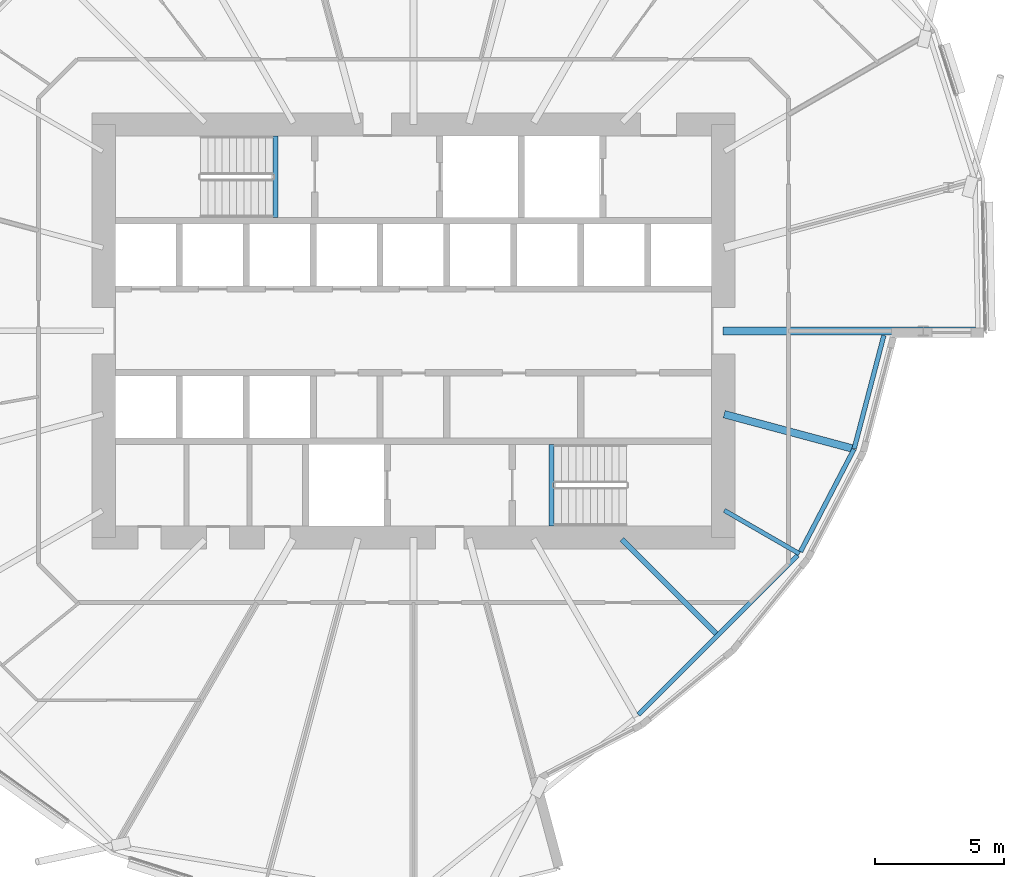
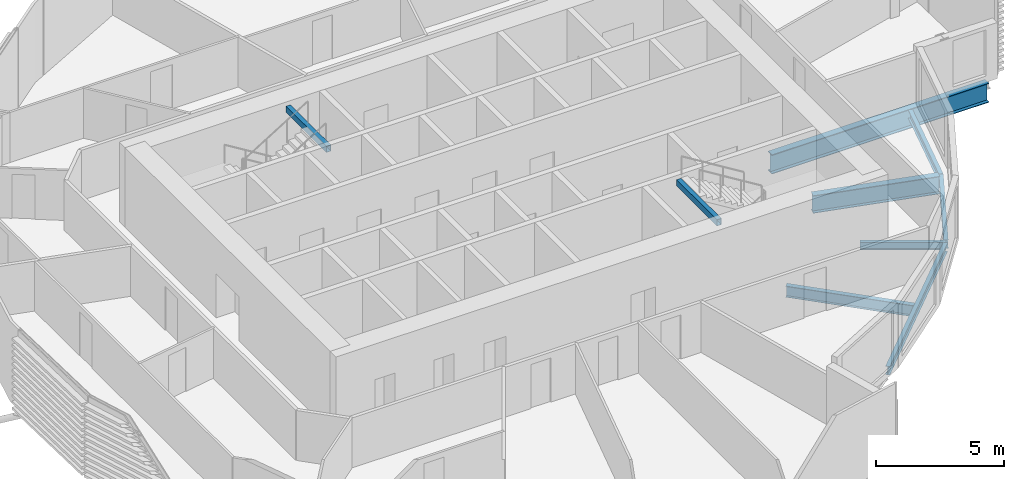
# One storey, part 14 of 38: 9 beams.
"""IFC4 building model written with IfcOpenShell, lengths in metres."""

import ifcopenshell
import ifcopenshell.guid

model = None  # the IFC model being written
_history = None  # IfcOwnerHistory: only IFC2X3 demands one
_inside = {}  # id of a spatial element -> (the spatial element, [elements in it])
_under = {}  # id of a project, library or spatial element -> (it, [spatial elements below it])
_declared = {}  # id of a project -> (the project, [libraries it declares])
_typed = {}  # id of a type object -> (the type object, [elements of that type])
_made_of = {}  # id of a material, layer set ... -> (it, [elements and type objects made of it])


def new_model(schema):
    """Start an empty IFC model of exactly this schema.

    Asked for "IFC4X3", IfcOpenShell would pick the latest addendum, in which some entities
    have other attributes; the version numbers below select the first issue.
    IFC2X3 requires an IfcOwnerHistory on every rooted entity: one is made here for all.
    """
    global model, _history
    if schema == "IFC4X3":
        model = ifcopenshell.file(schema_version=(4, 3, 0, 0))
    else:
        model = ifcopenshell.file(schema=schema)
    _inside.clear()
    _under.clear()
    _declared.clear()
    _typed.clear()
    _made_of.clear()
    _history = None
    if model.schema == "IFC2X3":
        org = make("IfcOrganization", Name="unknown")
        user = make(
            "IfcPersonAndOrganization",
            ThePerson=make("IfcPerson", FamilyName="unknown"),
            TheOrganization=org,
        )
        app = make(
            "IfcApplication",
            ApplicationDeveloper=org,
            Version="unknown",
            ApplicationFullName="unknown",
            ApplicationIdentifier="unknown",
        )
        _history = make(
            "IfcOwnerHistory",
            OwningUser=user,
            OwningApplication=app,
            ChangeAction="ADDED",
            CreationDate=0,
        )
    return model


def make(cls, **values):
    """One entity of the class cls with the attributes given. An attribute that is None is left unset."""
    return model.create_entity(
        cls, **{name: value for name, value in values.items() if value is not None}
    )


def rooted(cls, **values):
    """An entity with a GlobalId (a new one), such as an element, a storey or a relation."""
    return make(cls, GlobalId=ifcopenshell.guid.new(), OwnerHistory=_history, **values)


def si_unit(unit_type, name, prefix=None):
    """IfcSIUnit, for example si_unit("LENGTHUNIT", "METRE", prefix="MILLI")."""
    return make("IfcSIUnit", UnitType=unit_type, Prefix=prefix, Name=name)


def assignment(units):
    """IfcUnitAssignment: the units of a project."""
    return None if units is None else make("IfcUnitAssignment", Units=units)


def point(xyz):
    """IfcCartesianPoint."""
    return None if xyz is None else make("IfcCartesianPoint", Coordinates=xyz)


def direction(xyz):
    """IfcDirection."""
    return None if xyz is None else make("IfcDirection", DirectionRatios=xyz)


def frame(location, z_axis=None, x_axis=None):
    """IfcAxis2Placement3D, a coordinate frame: its origin and axes. An axis left out is left unset."""
    return make(
        "IfcAxis2Placement3D",
        Location=point(location),
        Axis=direction(z_axis),
        RefDirection=direction(x_axis),
    )


def frame_2d(location, x_axis=None):
    """IfcAxis2Placement2D, a coordinate frame in the plane: its origin and x axis."""
    return make(
        "IfcAxis2Placement2D", Location=point(location), RefDirection=direction(x_axis)
    )


def origin():
    """The frame at (0, 0, 0) with its axes left unset."""
    return frame((0.0, 0.0, 0.0))


def origin_2d():
    """The frame at (0, 0) in the plane with its x axis left unset."""
    return frame_2d((0.0, 0.0))


def place(relative_to, where):
    """IfcLocalPlacement: puts the frame where relative to a parent placement (None: the world)."""
    return make(
        "IfcLocalPlacement", PlacementRelTo=relative_to, RelativePlacement=where
    )


def context(
    kind, dimensions, precision=None, world=None, true_north=None, identifier=None
):
    """IfcGeometricRepresentationContext, for example the 3D "Model" context."""
    return make(
        "IfcGeometricRepresentationContext",
        ContextIdentifier=identifier,
        ContextType=kind,
        CoordinateSpaceDimension=dimensions,
        Precision=precision,
        WorldCoordinateSystem=world,
        TrueNorth=true_north,
    )


def subcontext(parent, identifier, kind, view, scale=None):
    """IfcGeometricRepresentationSubContext, for example "Body" below "Model"."""
    return make(
        "IfcGeometricRepresentationSubContext",
        ContextIdentifier=identifier,
        ContextType=kind,
        ParentContext=parent,
        TargetScale=scale,
        TargetView=view,
    )


def project(units=None, contexts=None):
    """IfcProject with its units and contexts."""
    return rooted(
        "IfcProject",
        Name="project",
        RepresentationContexts=contexts,
        UnitsInContext=assignment(units),
    )


def spatial(cls, under=None, at=None, **own):
    """A site, building, storey or space (cls), placed at a placement, below another one or the project."""
    s = rooted(cls, ObjectPlacement=at, **own)
    if under is not None:
        _under.setdefault(under.id(), (under, []))[1].append(s)
    return s


def profile(cls, at=None, kind="AREA", **sizes):
    """A parametric profile (cls). Its sizes go by their IFC names, for example OverallWidth=200.0."""
    return make(cls, ProfileType=kind, Position=at, **sizes)


def hollow_rectangle(**sizes):
    """IfcRectangleHollowProfileDef."""
    return profile("IfcRectangleHollowProfileDef", **sizes)


def i_section(**sizes):
    """IfcIShapeProfileDef."""
    return profile("IfcIShapeProfileDef", **sizes)


def extrude(swept, where, along, depth):
    """IfcExtrudedAreaSolid: the profile swept, set in the frame where, extruded along a direction by depth."""
    return make(
        "IfcExtrudedAreaSolid",
        SweptArea=swept,
        Position=where,
        ExtrudedDirection=direction(along),
        Depth=depth,
    )


def shape(context_of_items, identifier, shape_type, items):
    """IfcShapeRepresentation: the items that make up one representation, for example the "Body"."""
    return make(
        "IfcShapeRepresentation",
        ContextOfItems=context_of_items,
        RepresentationIdentifier=identifier,
        RepresentationType=shape_type,
        Items=items,
    )


def material(Name=None, Category=None):
    """IfcMaterial."""
    return make("IfcMaterial", Name=Name, Category=Category)


def material_profile(
    of_material, cross_section, Name=None, Category=None, Priority=None
):
    """IfcMaterialProfile: a cross section and its material."""
    return make(
        "IfcMaterialProfile",
        Name=Name,
        Material=of_material,
        Profile=cross_section,
        Priority=Priority,
        Category=Category,
    )


def profile_set(profiles, Name=None, composite=None):
    """IfcMaterialProfileSet."""
    return make(
        "IfcMaterialProfileSet",
        Name=Name,
        MaterialProfiles=profiles,
        CompositeProfile=composite,
    )


def made_of(thing, what):
    """Note that an element or type object is made of a material, layer set ...; save() writes the relation."""
    if what is not None:
        _made_of.setdefault(what.id(), (what, []))[1].append(thing)
    return thing


def type_object(cls, material=None, **own):
    """A type object (cls), such as IfcWallType, which elements share."""
    return made_of(rooted(cls, **own), material)


def element(
    cls,
    number,
    at=None,
    inside=None,
    cuts=None,
    type_object=None,
    material=None,
    context=None,
    identifier="Body",
    shape_type=None,
    held_by="IfcProductDefinitionShape",
    body=None,
    shapes=None,
    **own,
):
    """One element of the class cls, such as IfcWall. Its Tag is "e" and its number.

    at: its placement. inside: the storey or other place that contains it. cuts: it is an
    opening in that element (IfcRelVoidsElement). A single representation is given by context,
    identifier, shape_type and body (its items); several are given by shapes. held_by: the class
    of the entity that holds the representations. save() writes the other relations.
    """
    e = rooted(cls, Tag="e%d" % number, ObjectPlacement=at, **own)
    if body is not None:
        shapes = [shape(context, identifier, shape_type, body)]
    if shapes is not None:
        e.Representation = make(held_by, Representations=shapes)
    if inside is not None:
        _inside.setdefault(inside.id(), (inside, []))[1].append(e)
    if cuts is not None:
        rooted(
            "IfcRelVoidsElement", RelatingBuildingElement=cuts, RelatedOpeningElement=e
        )
    if type_object is not None:
        _typed.setdefault(type_object.id(), (type_object, []))[1].append(e)
    return made_of(e, material)


def aggregate(whole, parts):
    """IfcRelAggregates: a whole, such as a stair, and the parts it consists of."""
    return rooted("IfcRelAggregates", RelatingObject=whole, RelatedObjects=parts)


def save(model, path):
    """Write the relations noted so far, then the file.

    IfcRelAggregates (storeys below a building ...), IfcRelContainedInSpatialStructure (elements
    in a storey), IfcRelDefinesByType, IfcRelAssociatesMaterial and IfcRelDeclares: one each for
    every whole, place, type object, material and project.
    """
    for whole, parts in _under.values():
        aggregate(whole, parts)
    for where, things in _inside.values():
        rooted(
            "IfcRelContainedInSpatialStructure",
            RelatedElements=things,
            RelatingStructure=where,
        )
    for kind, things in _typed.values():
        rooted("IfcRelDefinesByType", RelatedObjects=things, RelatingType=kind)
    for what, things in _made_of.values():
        rooted("IfcRelAssociatesMaterial", RelatedObjects=things, RelatingMaterial=what)
    for by, libraries in _declared.values():
        rooted("IfcRelDeclares", RelatingContext=by, RelatedDefinitions=libraries)
    model.write(path)


model = new_model("IFC4")

# Units and contexts
model_context = context("Model", 3, precision=1e-05, world=origin(), true_north=direction((0.0, 1.0)))
body_context = subcontext(model_context, "Body", "Model", "MODEL_VIEW")
ifc_project = project(units=[si_unit("LENGTHUNIT", "METRE"), si_unit("AREAUNIT", "SQUARE_METRE"), si_unit("VOLUMEUNIT", "CUBIC_METRE"), si_unit("PLANEANGLEUNIT", "RADIAN"), si_unit("MASSUNIT", "GRAM", prefix="KILO")], contexts=[model_context])

# Site, building, storey
site_placement = place(None, origin())
site = spatial("IfcSite", under=ifc_project, at=site_placement, CompositionType="ELEMENT")
building_placement = place(site_placement, origin())
building = spatial("IfcBuilding", under=site, at=building_placement, Name="Rimbun Link Towers", CompositionType="ELEMENT")
storey_placement = place(building_placement, frame((0.0, 0.0, 71.800048828125)))
storey = spatial("IfcBuildingStorey", under=building, at=storey_placement, Name="L17", CompositionType="ELEMENT", Elevation=71.800048828125)

# Beams
ifc_material_1 = material(Name="Steel S355J2", Category="steel")
ifc_material_profile_1 = material_profile(ifc_material_1, hollow_rectangle(XDim=0.199951171875, YDim=0.300048828125, WallThickness=0.011962890625, at=origin_2d()), Name="BOX 300x200x12")
ifc_profile_set_1 = profile_set([ifc_material_profile_1], Name="Steel S355J2")
beam_type_1 = type_object("IfcBeamType", Name="Stair trimmer beam BOX 300x200x12", PredefinedType="BEAM", material=ifc_profile_set_1)
for number, where, z_axis, x_axis, name in (
    (1, (26.39990234375, 7.550048828125, 3.449951171875), (0.0, -1.0, 0.0), (1.0, 0.0, 0.0), "L17 ST3 stair beam 1"),
    (2, (37.10009765625, -7.550048828125, 3.449951171875), (0.0, 1.0, 0.0), (-1.0, 0.0, 0.0), "L17 ST4 stair beam 1"),
):
    element("IfcBeam", number, at=place(storey_placement, frame(where, z_axis=z_axis, x_axis=x_axis)), inside=storey, type_object=beam_type_1, Name=name, PredefinedType="BEAM", context=body_context, shape_type="SweptSolid", body=[
        extrude(hollow_rectangle(XDim=0.199951171875, YDim=0.300048828125, WallThickness=0.011962890625, at=origin_2d()), origin(), (0.0, 0.0, 1.0), 3.150146484375),
    ])
ifc_material_2 = material(Name="Steel S355J2", Category="steel")
ifc_material_profile_2 = material_profile(ifc_material_2, i_section(OverallWidth=0.17138671875, OverallDepth=0.35498046875, WebThickness=0.00732421875, FlangeThickness=0.011474609375, at=origin_2d()), Name="UB 356x171x51")
ifc_profile_set_2 = profile_set([ifc_material_profile_2], Name="Steel S355J2")
beam_type_2 = type_object("IfcBeamType", Name="UB 356x171x51", PredefinedType="BEAM", material=ifc_profile_set_2)
beam_1_placement = place(storey_placement, frame((43.793701171875, -6.95361328125, -0.337646484375), z_axis=(0.866044043767, -0.499967713213, 0.0), x_axis=(0.499967713213, 0.866044043767, 0.0)))
element("IfcBeam", 3, at=beam_1_placement, inside=storey, type_object=beam_type_2, Name="Radial beam T2 L17 19", PredefinedType="BEAM", context=body_context, shape_type="SweptSolid", body=[
    extrude(i_section(OverallWidth=0.17138671875, OverallDepth=0.35498046875, WebThickness=0.00732421875, FlangeThickness=0.011474609375, at=origin_2d()), origin(), (0.0, 0.0, 1.0), 3.360595703125),
])
ifc_material_3 = material(Name="Steel S355J2", Category="steel")
ifc_material_profile_3 = material_profile(ifc_material_3, i_section(OverallWidth=0.177978515625, OverallDepth=0.406494140625, WebThickness=0.0078125, FlangeThickness=0.0126953125, at=origin_2d()), Name="UB 406x178x60")
ifc_profile_set_3 = profile_set([ifc_material_profile_3], Name="Steel S355J2")
beam_type_3 = type_object("IfcBeamType", Name="UB 406x178x60", PredefinedType="BEAM", material=ifc_profile_set_3)
beam_2_placement = place(storey_placement, frame((40.4677734375, -14.8701171875, -0.36328125), z_axis=(0.707106781187, 0.707106781187, 0.0), x_axis=(-0.707106781187, 0.707106781187, 0.0)))
element("IfcBeam", 4, at=beam_2_placement, inside=storey, type_object=beam_type_3, Name="Edge beam T2 L17 17-19", PredefinedType="BEAM", context=body_context, shape_type="SweptSolid", body=[
    extrude(i_section(OverallWidth=0.177978515625, OverallDepth=0.406494140625, WebThickness=0.0078125, FlangeThickness=0.0126953125, at=origin_2d()), origin(), (0.0, 0.0, 1.0), 8.729736328125),
])
beam_3_placement = place(storey_placement, frame((46.74609375, -8.553466796875, -0.36328125), z_axis=(0.462439271647, 0.886650957276, 0.0), x_axis=(-0.886650957276, 0.462439271647, 0.0)))
element("IfcBeam", 5, at=beam_3_placement, inside=storey, type_object=beam_type_3, Name="Edge beam T2 L17 19 recess", PredefinedType="BEAM", context=body_context, shape_type="SweptSolid", body=[
    extrude(i_section(OverallWidth=0.177978515625, OverallDepth=0.406494140625, WebThickness=0.0078125, FlangeThickness=0.0126953125, at=origin_2d()), origin(), (0.0, 0.0, 1.0), 4.47705078125),
])
beam_4_placement = place(storey_placement, frame((48.824462890625, -4.563720703125, -0.36328125), z_axis=(0.253526095329, 0.967328547592, 0.0), x_axis=(-0.967328547592, 0.253526095329, 0.0)))
element("IfcBeam", 6, at=beam_4_placement, inside=storey, type_object=beam_type_3, Name="Edge beam T2 L17 20 recess", PredefinedType="BEAM", context=body_context, shape_type="SweptSolid", body=[
    extrude(i_section(OverallWidth=0.177978515625, OverallDepth=0.406494140625, WebThickness=0.0078125, FlangeThickness=0.0126953125, at=origin_2d()), origin(), (0.0, 0.0, 1.0), 4.53564453125),
])
ifc_material_4 = material(Name="Steel S355J2", Category="steel")
ifc_material_profile_4 = material_profile(ifc_material_4, i_section(OverallWidth=0.209228515625, OverallDepth=0.533203125, WebThickness=0.010009765625, FlangeThickness=0.015625, at=origin_2d()), Name="UB 533x210x92")
ifc_profile_set_4 = profile_set([ifc_material_profile_4], Name="Steel S355J2")
beam_type_4 = type_object("IfcBeamType", Name="UB 533x210x92", PredefinedType="BEAM", material=ifc_profile_set_4)
beam_5_placement = place(storey_placement, frame((39.82470703125, -8.07470703125, -0.426513671875), z_axis=(0.707106781187, -0.707106781187, 0.0), x_axis=(0.707106781187, 0.707106781187, 0.0)))
element("IfcBeam", 7, at=beam_5_placement, inside=storey, type_object=beam_type_4, Name="Radial beam T2 L17 18", PredefinedType="BEAM", context=body_context, shape_type="SweptSolid", body=[
    extrude(i_section(OverallWidth=0.209228515625, OverallDepth=0.533203125, WebThickness=0.010009765625, FlangeThickness=0.015625, at=origin_2d()), origin(), (0.0, 0.0, 1.0), 5.169921875),
])
ifc_material_5 = material(Name="Steel S355J2", Category="steel")
ifc_material_profile_5 = material_profile(ifc_material_5, i_section(OverallWidth=0.29248046875, OverallDepth=0.8408203125, WebThickness=0.0126953125, FlangeThickness=0.021728515625, at=origin_2d()), Name="UB 838x292x194")
ifc_profile_set_5 = profile_set([ifc_material_profile_5], Name="Steel S355J2")
beam_type_5 = type_object("IfcBeamType", Name="UB 838x292x194", PredefinedType="BEAM", material=ifc_profile_set_5)
beam_6_placement = place(storey_placement, frame((43.788818359375, -3.225830078125, -0.580322265625), z_axis=(0.965935920163, -0.258781371315, 0.0), x_axis=(0.258781371315, 0.965935920163, 0.0)))
element("IfcBeam", 8, at=beam_6_placement, inside=storey, type_object=beam_type_5, Name="Radial beam T2 L17 20", PredefinedType="BEAM", context=body_context, shape_type="SweptSolid", body=[
    extrude(i_section(OverallWidth=0.29248046875, OverallDepth=0.8408203125, WebThickness=0.0126953125, FlangeThickness=0.021728515625, at=origin_2d()), origin(), (0.0, 0.0, 1.0), 5.119873046875),
])
ifc_material_6 = material(Name="Steel S355J2", Category="steel")
ifc_material_profile_6 = material_profile(ifc_material_6, i_section(OverallWidth=0.305419921875, OverallDepth=0.91845703125, WebThickness=0.017333984375, FlangeThickness=0.02783203125, at=origin_2d()), Name="UB 914x305x253")
ifc_profile_set_6 = profile_set([ifc_material_profile_6], Name="Steel S355J2")
beam_type_6 = type_object("IfcBeamType", Name="UB 914x305x253", PredefinedType="BEAM", material=ifc_profile_set_6)
beam_7_placement = place(storey_placement, frame((43.7509765625, 0.0, -0.619140625), z_axis=(1.0, 0.0, 0.0), x_axis=(0.0, 1.0, 0.0)))
element("IfcBeam", 9, at=beam_7_placement, inside=storey, type_object=beam_type_6, Name="Radial beam T2 L17 21", PredefinedType="BEAM", context=body_context, shape_type="SweptSolid", body=[
    extrude(i_section(OverallWidth=0.305419921875, OverallDepth=0.91845703125, WebThickness=0.017333984375, FlangeThickness=0.02783203125, at=origin_2d()), origin(), (0.0, 0.0, 1.0), 9.781005859375),
])

save(model, "model.ifc")
